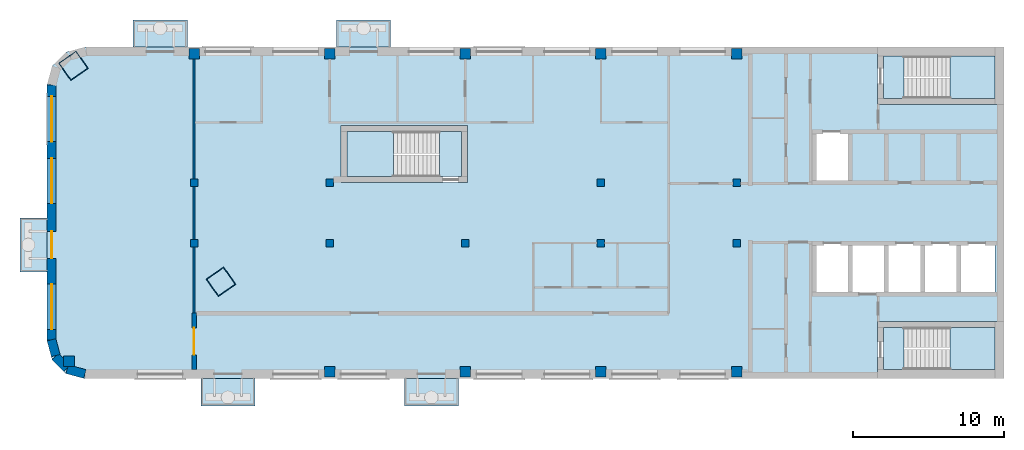
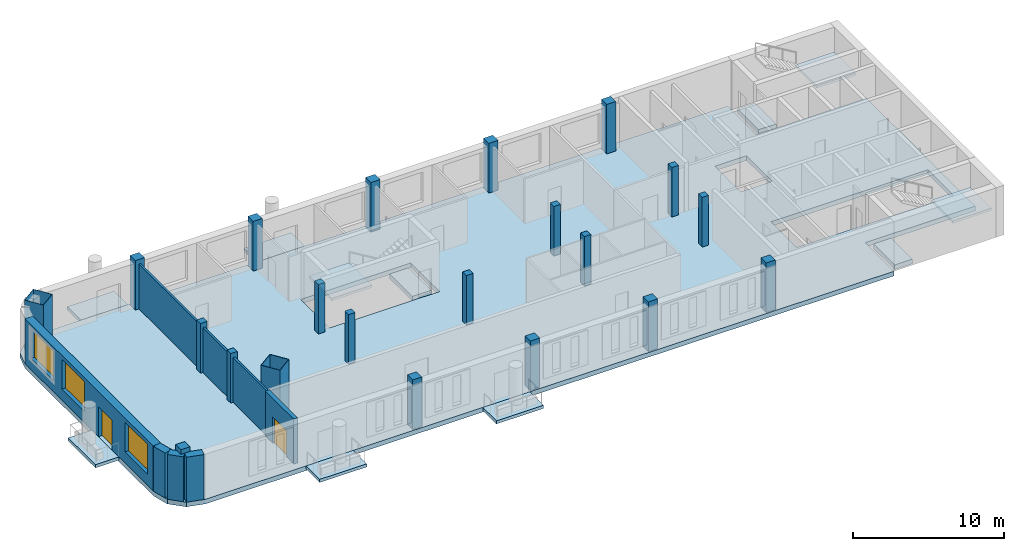
# One storey, part 1 of 7: 21 columns, 12 slabs, 6 walls, 3 windows, 2 doors, 5 openings, 3 elements without a shape of their own.
"""IFC4 building model written with IfcOpenShell, lengths in metres."""

from ifc_helpers import new_model, si_unit, direction, frame, frame_2d, origin, origin_2d, place, context, subcontext, project, spatial, polyline, rectangle, hollow_rectangle, outline, extrude, material, layer, layer_set, material_profile, profile_set, type_object, element, fill, aggregate, save


model = new_model("IFC4")

# Units and contexts
model_context = context("Model", 3, precision=1e-05, world=origin(), true_north=direction((0.0, 1.0)))
body_context = subcontext(model_context, "Body", "Model", "MODEL_VIEW")
ifc_project = project(units=[si_unit("LENGTHUNIT", "METRE"), si_unit("AREAUNIT", "SQUARE_METRE"), si_unit("VOLUMEUNIT", "CUBIC_METRE"), si_unit("PLANEANGLEUNIT", "RADIAN"), si_unit("MASSUNIT", "GRAM", prefix="KILO")], contexts=[model_context])

# Site, building, storey
site_placement = place(None, origin())
site = spatial("IfcSite", under=ifc_project, at=site_placement, CompositionType="ELEMENT")
building_placement = place(site_placement, origin())
building = spatial("IfcBuilding", under=site, at=building_placement, Name="Skarvind Civic Tower", CompositionType="ELEMENT")
storey_placement = place(building_placement, frame((0.0, 0.0, 265.5)))
storey = spatial("IfcBuildingStorey", under=building, at=storey_placement, Name="L63", CompositionType="ELEMENT", Elevation=265.5)

# Columns
ifc_material_1 = material(Name="Concrete C60", Category="concrete")
ifc_material_profile_1 = material_profile(ifc_material_1, rectangle(XDim=0.5, YDim=0.5, at=origin_2d()), Name="RC-500x500")
ifc_profile_set_1 = profile_set([ifc_material_profile_1], Name="Concrete C60")
column_type_1 = type_object("IfcColumnType", Name="Column RC-500x500 C60", PredefinedType="COLUMN", material=ifc_profile_set_1)
for number, where, z_axis, x_axis, name in (
    (1, (54.25, 130.0, 0.0), (0.0, 0.0, 1.0), (1.0, 0.0, 0.0), "Column wing 1 north inner 02 L63"),
    (2, (63.25, 130.0, 0.0), (0.0, 0.0, 1.0), (1.0, 0.0, 0.0), "Column wing 1 north inner 03 L63"),
    (3, (81.25, 130.0, 0.0), (0.0, 0.0, 1.0), (1.0, 0.0, 0.0), "Column wing 1 north inner 05 L63"),
    (4, (90.25, 130.0, 0.0), (0.0, 0.0, 1.0), (1.0, 0.0, 0.0), "Column wing 1 north inner 06 L63"),
    (5, (54.25, 126.0, 0.0), (0.0, 0.0, 1.0), (1.0, 0.0, 0.0), "Column wing 1 south inner 02 L63"),
    (6, (63.25, 126.0, 0.0), (0.0, 0.0, 1.0), (1.0, 0.0, 0.0), "Column wing 1 south inner 03 L63"),
    (7, (72.25, 126.0, 0.0), (0.0, 0.0, 1.0), (1.0, 0.0, 0.0), "Column wing 1 south inner 04 L63"),
    (8, (81.25, 126.0, 0.0), (0.0, 0.0, 1.0), (1.0, 0.0, 0.0), "Column wing 1 south inner 05 L63"),
    (9, (90.25, 126.0, 0.0), (0.0, 0.0, 1.0), (1.0, 0.0, 0.0), "Column wing 1 south inner 06 L63"),
):
    element("IfcColumn", number, at=place(storey_placement, frame(where, z_axis=z_axis, x_axis=x_axis)), inside=storey, type_object=column_type_1, Name=name, PredefinedType="COLUMN", context=body_context, shape_type="SweptSolid", body=[
        extrude(rectangle(XDim=0.5, YDim=0.5, at=origin_2d()), origin(), (0.0, 0.0, 1.0), 4.0),
    ])
ifc_material_profile_2 = material_profile(ifc_material_1, rectangle(XDim=0.699951171875, YDim=0.699951171875, at=origin_2d()), Name="RC-700x700")
ifc_profile_set_2 = profile_set([ifc_material_profile_2], Name="Concrete C60")
column_type_2 = type_object("IfcColumnType", Name="Column RC-700x700 C60", PredefinedType="COLUMN", material=ifc_profile_set_2)
for number, where, z_axis, x_axis, name in (
    (10, (54.25, 138.550048828125, 0.0), (0.0, 0.0, 1.0), (1.0, 0.0, 0.0), "Column wing 1 north perimeter 02 L63"),
    (11, (63.25, 138.550048828125, 0.0), (0.0, 0.0, 1.0), (1.0, 0.0, 0.0), "Column wing 1 north perimeter 03 L63"),
    (12, (72.25, 138.550048828125, 0.0), (0.0, 0.0, 1.0), (1.0, 0.0, 0.0), "Column wing 1 north perimeter 04 L63"),
    (13, (81.25, 138.550048828125, 0.0), (0.0, 0.0, 1.0), (1.0, 0.0, 0.0), "Column wing 1 north perimeter 05 L63"),
    (14, (90.25, 138.550048828125, 0.0), (0.0, 0.0, 1.0), (1.0, 0.0, 0.0), "Column wing 1 north perimeter 06 L63"),
    (15, (45.95166015625, 118.151611328125, 0.0), (0.0, 0.0, 1.0), (1.0, 0.0, 0.0), "Column wing 1 south perimeter 01 L63"),
    (16, (63.25, 117.449951171875, 0.0), (0.0, 0.0, 1.0), (1.0, 0.0, 0.0), "Column wing 1 south perimeter 03 L63"),
    (17, (72.25, 117.449951171875, 0.0), (0.0, 0.0, 1.0), (1.0, 0.0, 0.0), "Column wing 1 south perimeter 04 L63"),
    (18, (81.25, 117.449951171875, 0.0), (0.0, 0.0, 1.0), (1.0, 0.0, 0.0), "Column wing 1 south perimeter 05 L63"),
    (19, (90.25, 117.449951171875, 0.0), (0.0, 0.0, 1.0), (1.0, 0.0, 0.0), "Column wing 1 south perimeter 06 L63"),
):
    element("IfcColumn", number, at=place(storey_placement, frame(where, z_axis=z_axis, x_axis=x_axis)), inside=storey, type_object=column_type_2, Name=name, PredefinedType="COLUMN", context=body_context, shape_type="SweptSolid", body=[
        extrude(rectangle(XDim=0.699951171875, YDim=0.699951171875, at=origin_2d()), origin(), (0.0, 0.0, 1.0), 4.0),
    ])
ifc_material_2 = material(Name="Composite concrete-filled steel tube, Steel SM355 with Concrete C60", Category="concrete")
ifc_material_profile_3 = material_profile(ifc_material_2, hollow_rectangle(XDim=1.39990234375, YDim=1.39990234375, WallThickness=0.02490234375, at=origin_2d()), Name="BOX-1400x1400x25")
ifc_profile_set_3 = profile_set([ifc_material_profile_3], Name="Composite concrete-filled steel tube, Steel SM355 with Concrete C60")
column_type_3 = type_object("IfcColumnType", Name="Mega column BOX-1400x1400x25 filled C60", PredefinedType="COLUMN", material=ifc_profile_set_3)
for number, where, z_axis, x_axis, name in (
    (20, (46.2470703125, 137.762451171875, 0.0), (0.0, 0.0, 1.0), (0.573576436351, -0.819152044289, 0.0), "Mega column 2 L63"),
    (21, (56.0361328125, 123.43017578125, 0.0), (0.0, 0.0, 1.0), (0.573576436351, -0.819152044289, 0.0), "Mega column 4 L63"),
):
    element("IfcColumn", number, at=place(storey_placement, frame(where, z_axis=z_axis, x_axis=x_axis)), inside=storey, type_object=column_type_3, Name=name, PredefinedType="COLUMN", context=body_context, shape_type="SweptSolid", body=[
        extrude(hollow_rectangle(XDim=1.39990234375, YDim=1.39990234375, WallThickness=0.02490234375, at=origin_2d()), origin(), (0.0, 0.0, 1.0), 4.0),
    ])

# Slabs
ifc_material_3 = material(Name="Concrete C50", Category="concrete")
ifc_layer_1 = layer(ifc_material_3, 0.375)
ifc_layer_set_1 = layer_set([ifc_layer_1], Name="Floor slab 375 C50")
slab_type_1 = type_object("IfcSlabType", Name="Floor slab 375 C50", PredefinedType="FLOOR", material=ifc_layer_set_1)
slab_1_placement = place(storey_placement, frame((0.0, 0.0, -0.375)))
element("IfcSlab", 22, at=slab_1_placement, inside=storey, type_object=slab_type_1, Name="Floor slab L63 1", PredefinedType="FLOOR", context=body_context, shape_type="SweptSolid", body=[
    extrude(outline(polyline([(99.60009765625, 117.0), (99.60009765625, 120.800048828125), (108.0, 120.800048828125), (108.0, 135.199951171875), (99.60009765625, 135.199951171875), (99.60009765625, 139.0), (47.0, 139.0), (45.75, 138.6650390625), (44.8349609375, 137.75), (44.5, 136.5), (44.5, 119.5), (44.8349609375, 118.25), (45.75, 117.3349609375), (47.0, 117.0), (99.60009765625, 117.0)]), holes=[polyline([(95.39990234375, 126.0), (97.800048828125, 126.0), (100.199951171875, 126.0), (102.60009765625, 126.0), (105.0, 126.0), (107.39990234375, 126.0), (107.39990234375, 122.60009765625), (105.0, 122.60009765625), (102.60009765625, 122.60009765625), (100.199951171875, 122.60009765625), (97.800048828125, 122.60009765625), (95.39990234375, 122.60009765625), (95.39990234375, 126.0)]), polyline([(95.39990234375, 133.39990234375), (97.800048828125, 133.39990234375), (97.800048828125, 130.0), (95.39990234375, 130.0), (95.39990234375, 133.39990234375)]), polyline([(64.0, 130.0), (64.0, 133.800048828125), (72.39990234375, 133.800048828125), (72.39990234375, 130.0), (64.0, 130.0)])]), origin(), (0.0, 0.0, 1.0), 0.375),
])
ifc_material_4 = material(Name="Precast concrete C40/50", Category="concrete")
ifc_layer_2 = layer(ifc_material_4, 0.25)
ifc_layer_set_2 = layer_set([ifc_layer_2], Name="SX3 BALCONY SLAB 250")
slab_type_2 = type_object("IfcSlabType", Name="SX3 BALCONY SLAB 250", PredefinedType="FLOOR", material=ifc_layer_set_2)
slab_2_placement = place(storey_placement, frame((0.0, 0.0, -0.25)))
element("IfcSlab", 23, at=slab_2_placement, inside=storey, type_object=slab_type_2, Name="TREE BALCONY SLAB", PredefinedType="FLOOR", context=body_context, shape_type="SweptSolid", body=[
    extrude(outline(polyline([(50.199951171875, 139.0), (53.800048828125, 139.0), (53.800048828125, 140.800048828125), (50.199951171875, 140.800048828125), (50.199951171875, 139.0)])), origin(), (0.0, 0.0, 1.0), 0.25),
])
slab_3_placement = place(storey_placement, frame((0.0, 0.0, -0.25)))
element("IfcSlab", 24, at=slab_3_placement, inside=storey, type_object=slab_type_2, Name="TREE BALCONY SLAB", PredefinedType="FLOOR", context=body_context, shape_type="SweptSolid", body=[
    extrude(outline(polyline([(63.699951171875, 139.0), (67.300048828125, 139.0), (67.300048828125, 140.800048828125), (63.699951171875, 140.800048828125), (63.699951171875, 139.0)])), origin(), (0.0, 0.0, 1.0), 0.25),
])
slab_4_placement = place(storey_placement, frame((0.0, 0.0, -0.25)))
element("IfcSlab", 25, at=slab_4_placement, inside=storey, type_object=slab_type_2, Name="TREE BALCONY SLAB", PredefinedType="FLOOR", context=body_context, shape_type="SweptSolid", body=[
    extrude(outline(polyline([(44.5, 124.074951171875), (44.5, 127.675048828125), (42.699951171875, 127.675048828125), (42.699951171875, 124.074951171875), (44.5, 124.074951171875)])), origin(), (0.0, 0.0, 1.0), 0.25),
])
slab_5_placement = place(storey_placement, frame((0.0, 0.0, -0.25)))
element("IfcSlab", 26, at=slab_5_placement, inside=storey, type_object=slab_type_2, Name="TREE BALCONY SLAB", PredefinedType="FLOOR", context=body_context, shape_type="SweptSolid", body=[
    extrude(outline(polyline([(71.800048828125, 117.0), (68.199951171875, 117.0), (68.199951171875, 115.199951171875), (71.800048828125, 115.199951171875), (71.800048828125, 117.0)])), origin(), (0.0, 0.0, 1.0), 0.25),
])
slab_6_placement = place(storey_placement, frame((0.0, 0.0, -0.25)))
element("IfcSlab", 27, at=slab_6_placement, inside=storey, type_object=slab_type_2, Name="TREE BALCONY SLAB", PredefinedType="FLOOR", context=body_context, shape_type="SweptSolid", body=[
    extrude(outline(polyline([(58.300048828125, 117.0), (54.699951171875, 117.0), (54.699951171875, 115.199951171875), (58.300048828125, 115.199951171875), (58.300048828125, 117.0)])), origin(), (0.0, 0.0, 1.0), 0.25),
])
ifc_material_5 = material(Name="Concrete C40/50", Category="concrete")
ifc_layer_3 = layer(ifc_material_5, 0.375)
ifc_layer_set_3 = layer_set([ifc_layer_3], Name="Stair floor landing slab 375")
slab_type_3 = type_object("IfcSlabType", Name="Stair floor landing slab 375", PredefinedType="LANDING", material=ifc_layer_set_3)
slab_7_placement = place(storey_placement, frame((0.0, 0.0, -0.375)))
element("IfcSlab", 28, at=slab_7_placement, inside=storey, type_object=slab_type_3, Name="Stair floor landing", PredefinedType="LANDING", context=body_context, shape_type="SweptSolid", body=[
    extrude(outline(polyline([(101.3505859375, 138.400634765625), (101.3505859375, 135.599365234375), (99.99951171875, 135.599365234375), (99.99951171875, 138.400634765625), (101.3505859375, 138.400634765625)])), origin(), (0.0, 0.0, 1.0), 0.375),
])
slab_8_placement = place(storey_placement, frame((0.0, 0.0, -0.375)))
element("IfcSlab", 29, at=slab_8_placement, inside=storey, type_object=slab_type_3, Name="Stair floor landing", PredefinedType="LANDING", context=body_context, shape_type="SweptSolid", body=[
    extrude(outline(polyline([(101.3505859375, 120.400634765625), (101.3505859375, 117.599365234375), (99.99951171875, 117.599365234375), (99.99951171875, 120.400634765625), (101.3505859375, 120.400634765625)])), origin(), (0.0, 0.0, 1.0), 0.375),
])
slab_9_placement = place(storey_placement, frame((0.0, 0.0, -0.375)))
element("IfcSlab", 30, at=slab_9_placement, inside=storey, type_object=slab_type_3, Name="Stair floor landing", PredefinedType="LANDING", context=body_context, shape_type="SweptSolid", body=[
    extrude(outline(polyline([(70.54931640625, 130.3994140625), (70.54931640625, 133.400634765625), (72.00048828125, 133.400634765625), (72.00048828125, 130.3994140625), (70.54931640625, 130.3994140625)])), origin(), (0.0, 0.0, 1.0), 0.375),
])

# Stair, slab
stair_type_1 = type_object("IfcStairType", Name="Exit stair, half-turn, concrete", PredefinedType="HALF_TURN_STAIR", material=ifc_material_5)
stair_1_placement = place(storey_placement, origin())
stair_1 = element("IfcStair", 31, at=stair_1_placement, inside=storey, type_object=stair_type_1, Name="Exit stair C1S", PredefinedType="HALF_TURN_STAIR")
ifc_layer_4 = layer(ifc_material_5, 0.199951171875)
ifc_layer_set_4 = layer_set([ifc_layer_4], Name="Stair half landing slab")
slab_type_4 = type_object("IfcSlabType", Name="Stair half landing slab", PredefinedType="LANDING", material=ifc_layer_set_4)
slab_10_placement = place(storey_placement, frame((0.0, 0.0, 1.800048828125)))
slab_10 = element("IfcSlab", 32, at=slab_10_placement, type_object=slab_type_4, Name="ST-C1S landing 1", PredefinedType="LANDING", context=body_context, shape_type="SweptSolid", body=[
    extrude(outline(polyline([(104.429443359375, 135.599365234375), (104.429443359375, 138.400634765625), (107.400634765625, 138.400634765625), (107.400634765625, 135.599365234375), (104.429443359375, 135.599365234375)])), origin(), (0.0, 0.0, 1.0), 0.199951171875),
])
aggregate(stair_1, [slab_10])

stair_2_placement = place(storey_placement, origin())
stair_2 = element("IfcStair", 33, at=stair_2_placement, inside=storey, type_object=stair_type_1, Name="Exit stair C1N", PredefinedType="HALF_TURN_STAIR")
slab_11_placement = place(storey_placement, frame((0.0, 0.0, 1.800048828125)))
slab_11 = element("IfcSlab", 34, at=slab_11_placement, type_object=slab_type_4, Name="ST-C1N landing 1", PredefinedType="LANDING", context=body_context, shape_type="SweptSolid", body=[
    extrude(outline(polyline([(104.429443359375, 117.599365234375), (104.429443359375, 120.400634765625), (107.400634765625, 120.400634765625), (107.400634765625, 117.599365234375), (104.429443359375, 117.599365234375)])), origin(), (0.0, 0.0, 1.0), 0.199951171875),
])
aggregate(stair_2, [slab_11])

stair_type_2 = type_object("IfcStairType", Name="Exit stair 1450, half-turn, concrete", PredefinedType="HALF_TURN_STAIR", material=ifc_material_5)
stair_3_placement = place(storey_placement, origin())
stair_3 = element("IfcStair", 35, at=stair_3_placement, inside=storey, type_object=stair_type_2, Name="Exit stair CM", PredefinedType="HALF_TURN_STAIR")
slab_12_placement = place(storey_placement, frame((0.0, 0.0, 1.800048828125)))
slab_12 = element("IfcSlab", 36, at=slab_12_placement, type_object=slab_type_4, Name="ST-CM landing 1", PredefinedType="LANDING", context=body_context, shape_type="SweptSolid", body=[
    extrude(outline(polyline([(67.470703125, 133.400634765625), (67.470703125, 130.3994140625), (64.3994140625, 130.3994140625), (64.3994140625, 133.400634765625), (67.470703125, 133.400634765625)])), origin(), (0.0, 0.0, 1.0), 0.199951171875),
])
aggregate(stair_3, [slab_12])

# Wall, opening, door
ifc_material_6 = material(Name="Fire-rated gypsum board on steel studs", Category="steel")
ifc_layer_5 = layer(ifc_material_6, 0.300048828125)
ifc_layer_set_5 = layer_set([ifc_layer_5], Name="CORRIDOR WALL 300")
wall_type_1 = type_object("IfcWallType", Name="CORRIDOR WALL 300", PredefinedType="PARTITIONING", material=ifc_layer_set_5)
wall_1_placement = place(storey_placement, frame((54.25, 117.60009765625, 0.0), z_axis=(0.0, 0.0, 1.0), x_axis=(0.0, 1.0, 0.0)))
wall_1 = element("IfcWall", 37, at=wall_1_placement, inside=storey, type_object=wall_type_1, Name="Partition 63.001", PredefinedType="PARTITIONING", context=body_context, shape_type="SweptSolid", body=[
    extrude(rectangle(XDim=3.75, YDim=0.300048828125, at=frame_2d((1.875, 0.0))), origin(), (0.0, 0.0, 1.0), 3.625),
])
opening_1_placement = place(wall_1_placement, frame((0.9765625, 0.0, 0.0)))
opening_1 = element("IfcOpeningElement", 38, at=opening_1_placement, cuts=wall_1, Name="Opening L63-D011", PredefinedType="OPENING", context=body_context, shape_type="SweptSolid", body=[
    extrude(rectangle(XDim=1.800048828125, YDim=2.10009765625, at=frame_2d((0.89990234375, 1.050048828125))), frame((0.0, 0.159912109375, 0.0), z_axis=(0.0, -1.0, 0.0), x_axis=(1.0, 0.0, 0.0)), (0.0, 0.0, 1.0), 0.320068359375),
])
ifc_material_7 = material(Name="Fire-rated timber door leaf", Category="wood")
door_type_1 = type_object("IfcDoorType", Name="FD4 1800x2100", OperationType="NOTDEFINED", PredefinedType="DOOR", material=ifc_material_7)
door_1_placement = place(opening_1_placement, origin())
door_1 = element("IfcDoor", 39, at=door_1_placement, inside=storey, type_object=door_type_1, Name="Door L63-D011", OperationType="DOUBLE_DOOR_SINGLE_SWING", OverallHeight=2.10009765625, OverallWidth=1.800048828125, PredefinedType="DOOR", context=body_context, shape_type="SweptSolid", body=[
    extrude(rectangle(XDim=1.800048828125, YDim=2.10009765625, at=frame_2d((0.89990234375, 1.050048828125))), frame((0.0, 0.02490234375, 0.0), z_axis=(0.0, -1.0, 0.0), x_axis=(1.0, 0.0, 0.0)), (0.0, 0.0, 1.0), 0.050048828125),
])
fill(opening_1, door_1)

# Wall
ifc_material_8 = material(Name="Plasterboard partition on steel studs", Category="steel")
ifc_layer_6 = layer(ifc_material_8, 0.14990234375)
ifc_layer_set_6 = layer_set([ifc_layer_6], Name="PARTITION 150")
wall_type_2 = type_object("IfcWallType", Name="PARTITION 150", PredefinedType="PARTITIONING", material=ifc_layer_set_6)
wall_2_placement = place(storey_placement, frame((54.25, 121.35009765625, 0.0), z_axis=(0.0, 0.0, 1.0), x_axis=(0.0, 1.0, 0.0)))
element("IfcWall", 40, at=wall_2_placement, inside=storey, type_object=wall_type_2, Name="Partition 63.002", PredefinedType="PARTITIONING", context=body_context, shape_type="SweptSolid", body=[
    extrude(rectangle(XDim=17.0498046875, YDim=0.14990234375, at=frame_2d((8.52490234375, 0.0))), origin(), (0.0, 0.0, 1.0), 3.625),
])

# Wall, openings, door, windows
ifc_material_9 = material(Name="Standing-seam zinc cladding on insulated backing")
ifc_layer_7 = layer(ifc_material_9, 0.60009765625)
ifc_layer_set_7 = layer_set([ifc_layer_7], Name="WX2 ZINC-CLAD FACADE WALL 600")
wall_type_3 = type_object("IfcWallType", Name="WX2 ZINC-CLAD FACADE WALL 600", PredefinedType="SOLIDWALL", material=ifc_layer_set_7)
wall_3_placement = place(storey_placement, frame((44.800048828125, 119.570068359375, 0.0), z_axis=(0.0, 0.0, 1.0), x_axis=(0.0, 1.0, 0.0)))
wall_3 = element("IfcWall", 41, at=wall_3_placement, inside=storey, type_object=wall_type_3, Name="ZINC-CLAD FACADE WALL", PredefinedType="SOLIDWALL", context=body_context, shape_type="SweptSolid", body=[
    extrude(rectangle(XDim=16.929931640625, YDim=0.60009765625, at=frame_2d((8.46484375, 0.0))), origin(), (0.0, 0.0, 1.0), 3.625),
])
opening_2_placement = place(wall_3_placement, frame((0.705078125, 0.0, 0.89990234375)))
opening_2 = element("IfcOpeningElement", 42, at=opening_2_placement, cuts=wall_3, Name="Opening WN4", PredefinedType="OPENING", context=body_context, shape_type="SweptSolid", body=[
    extrude(rectangle(XDim=3.0, YDim=2.39990234375, at=frame_2d((1.5, 1.199951171875))), frame((0.0, 0.31005859375, 0.0), z_axis=(0.0, -1.0, 0.0), x_axis=(1.0, 0.0, 0.0)), (0.0, 0.0, 1.0), 0.6201171875),
])
opening_3_placement = place(wall_3_placement, frame((5.405029296875, 0.0, 0.0)))
opening_3 = element("IfcOpeningElement", 43, at=opening_3_placement, cuts=wall_3, Name="Opening DX3", PredefinedType="OPENING", context=body_context, shape_type="SweptSolid", body=[
    extrude(rectangle(XDim=1.800048828125, YDim=2.39990234375, at=frame_2d((0.89990234375, 1.199951171875))), frame((0.0, 0.31005859375, 0.0), z_axis=(0.0, -1.0, 0.0), x_axis=(1.0, 0.0, 0.0)), (0.0, 0.0, 1.0), 0.6201171875),
])
opening_4_placement = place(wall_3_placement, frame((9.054931640625, 0.0, 0.89990234375)))
opening_4 = element("IfcOpeningElement", 44, at=opening_4_placement, cuts=wall_3, Name="Opening WN4", PredefinedType="OPENING", context=body_context, shape_type="SweptSolid", body=[
    extrude(rectangle(XDim=3.0, YDim=2.39990234375, at=frame_2d((1.5, 1.199951171875))), frame((0.0, 0.31005859375, 0.0), z_axis=(0.0, -1.0, 0.0), x_axis=(1.0, 0.0, 0.0)), (0.0, 0.0, 1.0), 0.6201171875),
])
opening_5_placement = place(wall_3_placement, frame((13.155029296875, 0.0, 0.89990234375)))
opening_5 = element("IfcOpeningElement", 45, at=opening_5_placement, cuts=wall_3, Name="Opening WN4", PredefinedType="OPENING", context=body_context, shape_type="SweptSolid", body=[
    extrude(rectangle(XDim=3.0, YDim=2.39990234375, at=frame_2d((1.5, 1.199951171875))), frame((0.0, 0.31005859375, 0.0), z_axis=(0.0, -1.0, 0.0), x_axis=(1.0, 0.0, 0.0)), (0.0, 0.0, 1.0), 0.6201171875),
])
ifc_material_10 = material(Name="Timber and glass doorset", Category="wood")
door_type_2 = type_object("IfcDoorType", Name="DX3 TERRACE DOORS 1800 x 2400", OperationType="NOTDEFINED", PredefinedType="DOOR", material=ifc_material_10)
door_2_placement = place(opening_3_placement, origin())
door_2 = element("IfcDoor", 46, at=door_2_placement, inside=storey, type_object=door_type_2, Name="TERRACE DOORS", OperationType="DOUBLE_DOOR_SINGLE_SWING", OverallHeight=2.39990234375, OverallWidth=1.800048828125, PredefinedType="DOOR", context=body_context, shape_type="SweptSolid", body=[
    extrude(rectangle(XDim=1.800048828125, YDim=2.39990234375, at=frame_2d((0.89990234375, 1.199951171875))), frame((0.0, 0.02490234375, 0.0), z_axis=(0.0, -1.0, 0.0), x_axis=(1.0, 0.0, 0.0)), (0.0, 0.0, 1.0), 0.050048828125),
])
fill(opening_3, door_2)
ifc_material_11 = material(Name="Timber frame, double glazing, copper-lined reveal", Category="wood")
window_type = type_object("IfcWindowType", Name="WN4 COPPER-LINED WINDOW 3000 x 2400", PartitioningType="SINGLE_PANEL", PredefinedType="WINDOW", material=ifc_material_11)
window_1_placement = place(opening_2_placement, origin())
window_1 = element("IfcWindow", 47, at=window_1_placement, inside=storey, type_object=window_type, Name="WN4 WINDOW", OverallHeight=2.39990234375, OverallWidth=3.0, PartitioningType="SINGLE_PANEL", PredefinedType="WINDOW", context=body_context, shape_type="SweptSolid", body=[
    extrude(rectangle(XDim=3.0, YDim=2.39990234375, at=frame_2d((1.5, 1.199951171875))), frame((0.0, 0.030029296875, 0.0), z_axis=(0.0, -1.0, 0.0), x_axis=(1.0, 0.0, 0.0)), (0.0, 0.0, 1.0), 0.06005859375),
])
fill(opening_2, window_1)
window_2_placement = place(opening_4_placement, origin())
window_2 = element("IfcWindow", 48, at=window_2_placement, inside=storey, type_object=window_type, Name="WN4 WINDOW", OverallHeight=2.39990234375, OverallWidth=3.0, PartitioningType="SINGLE_PANEL", PredefinedType="WINDOW", context=body_context, shape_type="SweptSolid", body=[
    extrude(rectangle(XDim=3.0, YDim=2.39990234375, at=frame_2d((1.5, 1.199951171875))), frame((0.0, 0.030029296875, 0.0), z_axis=(0.0, -1.0, 0.0), x_axis=(1.0, 0.0, 0.0)), (0.0, 0.0, 1.0), 0.06005859375),
])
fill(opening_4, window_2)
window_3_placement = place(opening_5_placement, origin())
window_3 = element("IfcWindow", 49, at=window_3_placement, inside=storey, type_object=window_type, Name="WN4 WINDOW", OverallHeight=2.39990234375, OverallWidth=3.0, PartitioningType="SINGLE_PANEL", PredefinedType="WINDOW", context=body_context, shape_type="SweptSolid", body=[
    extrude(rectangle(XDim=3.0, YDim=2.39990234375, at=frame_2d((1.5, 1.199951171875))), frame((0.0, 0.030029296875, 0.0), z_axis=(0.0, -1.0, 0.0), x_axis=(1.0, 0.0, 0.0)), (0.0, 0.0, 1.0), 0.06005859375),
])
fill(opening_5, window_3)

# Walls
wall_4_placement = place(storey_placement, frame((45.0703125, 118.530517578125, 0.0), z_axis=(0.0, 0.0, 1.0), x_axis=(-0.25876985698, 0.965939004864, 0.0)))
element("IfcWall", 50, at=wall_4_placement, inside=storey, type_object=wall_type_3, Name="ZINC-CLAD FACADE WALL", PredefinedType="SOLIDWALL", context=body_context, shape_type="SweptSolid", body=[
    extrude(rectangle(XDim=1.083984375, YDim=0.60009765625, at=frame_2d((0.5419921875, 0.0))), origin(), (0.0, 0.0, 1.0), 3.625),
])
wall_5_placement = place(storey_placement, frame((45.813720703125, 117.695556640625, 0.0), z_axis=(0.0, 0.0, 1.0), x_axis=(-0.707106781187, 0.707106781187, 0.0)))
element("IfcWall", 51, at=wall_5_placement, inside=storey, type_object=wall_type_3, Name="ZINC-CLAD FACADE WALL", PredefinedType="SOLIDWALL", context=body_context, shape_type="SweptSolid", body=[
    extrude(rectangle(XDim=1.084228515625, YDim=0.60009765625, at=frame_2d((0.5419921875, 0.0))), origin(), (0.0, 0.0, 1.0), 3.625),
])
wall_6_placement = place(storey_placement, frame((47.010009765625, 117.307861328125, 0.0), z_axis=(0.0, 0.0, 1.0), x_axis=(-0.965909766102, 0.258878975098, 0.0)))
element("IfcWall", 52, at=wall_6_placement, inside=storey, type_object=wall_type_3, Name="ZINC-CLAD FACADE WALL", PredefinedType="SOLIDWALL", context=body_context, shape_type="SweptSolid", body=[
    extrude(rectangle(XDim=1.22412109375, YDim=0.60009765625, at=frame_2d((0.612060546875, 0.0))), origin(), (0.0, 0.0, 1.0), 3.625),
])

save(model, "model.ifc")
